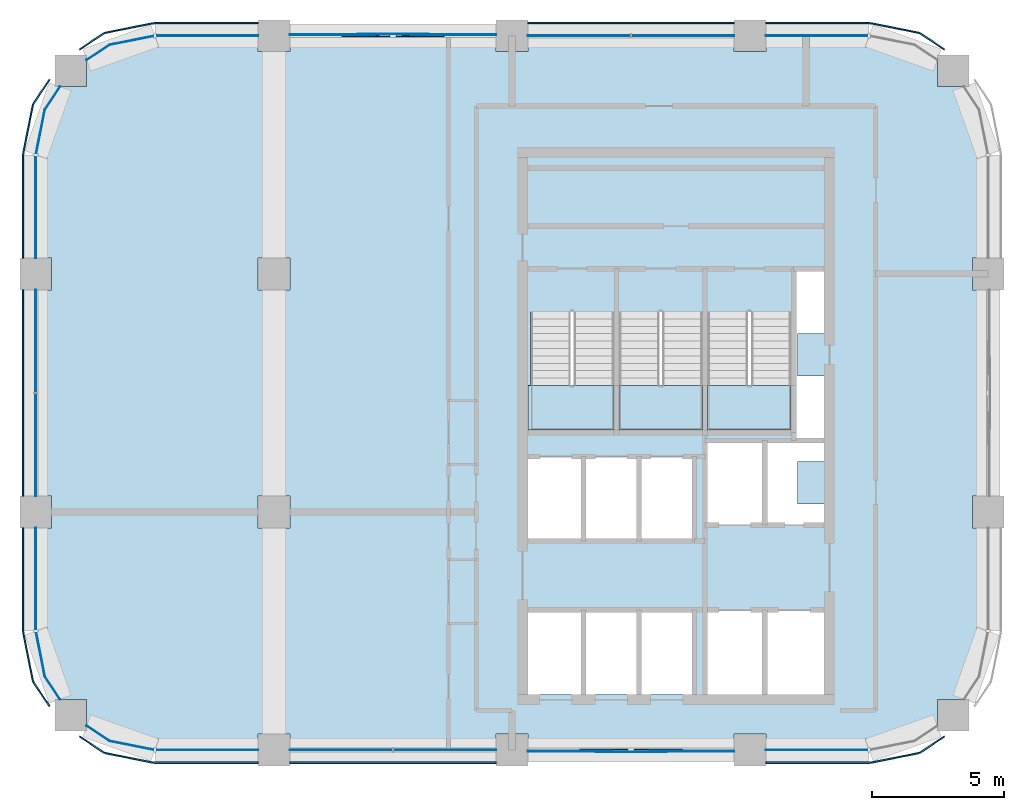
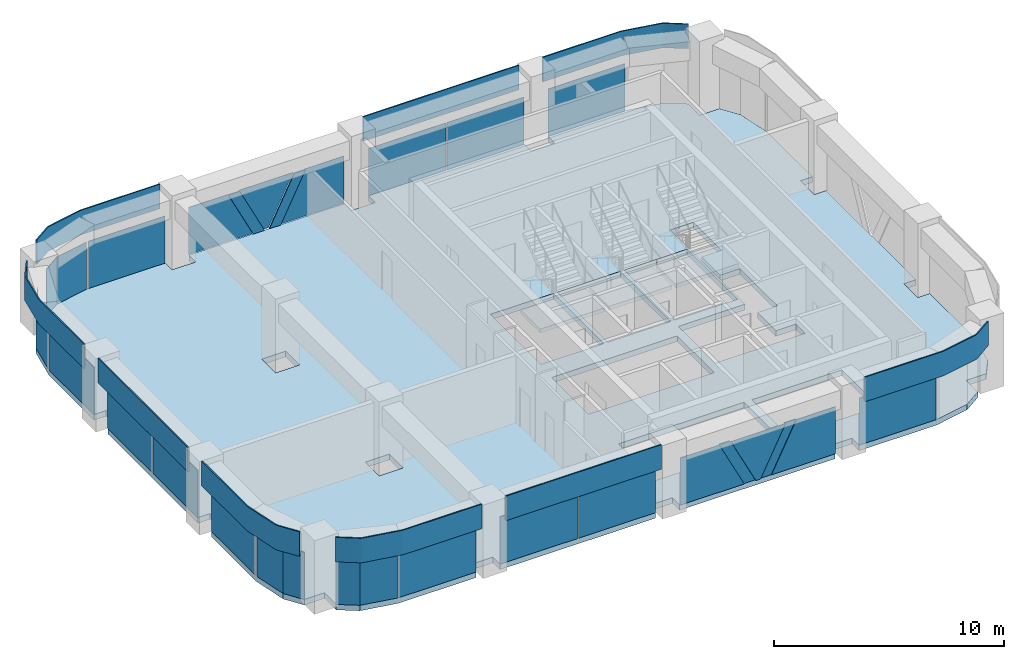
# One storey, part 5 of 9: 35 plates, 4 slabs, 14 elements without a shape of their own.
"""IFC4 building model written with IfcOpenShell, lengths in metres."""

from ifc_helpers import new_model, si_unit, direction, frame, origin, origin_2d, place, context, subcontext, project, spatial, polyline, rectangle, outline, extrude, material, layer, layer_set, type_object, element, aggregate, save


model = new_model("IFC4")

# Units and contexts
model_context = context("Model", 3, precision=1e-05, world=origin(), true_north=direction((0.0, 1.0)))
body_context = subcontext(model_context, "Body", "Model", "MODEL_VIEW")
ifc_project = project(units=[si_unit("LENGTHUNIT", "METRE"), si_unit("AREAUNIT", "SQUARE_METRE"), si_unit("VOLUMEUNIT", "CUBIC_METRE"), si_unit("PLANEANGLEUNIT", "RADIAN"), si_unit("MASSUNIT", "GRAM", prefix="KILO")], contexts=[model_context])

# Site, building, storey
site_placement = place(None, origin())
site = spatial("IfcSite", under=ifc_project, at=site_placement, CompositionType="ELEMENT")
building_placement = place(site_placement, origin())
building = spatial("IfcBuilding", under=site, at=building_placement, Name="Tessera Arch", CompositionType="ELEMENT")
storey_placement = place(building_placement, frame((0.0, 0.0, 273.5)))
storey = spatial("IfcBuildingStorey", under=building, at=storey_placement, Name="L66", CompositionType="ELEMENT", Elevation=273.5)

# Curtain wall, plates
ifc_material_1 = material(Name="CW1 curtain wall")
curtain_wall_type_1 = type_object("IfcCurtainWallType", Name="CW1 curtain wall", PredefinedType="NOTDEFINED", material=ifc_material_1)
curtain_wall_1_placement = place(storey_placement, origin())
curtain_wall_1 = element("IfcCurtainWall", 1, at=curtain_wall_1_placement, inside=storey, type_object=curtain_wall_type_1, Name="CW1 curtain wall N54.18/1 L66", PredefinedType="NOTDEFINED")
ifc_material_2 = material(Name="Clear low-e glass", Category="glass")
ifc_material_3 = material(Name="Clear low-e glass", Category="glass")
ifc_layer_1 = layer(ifc_material_3, 0.028076171875)
ifc_layer_set_1 = layer_set([ifc_layer_1], Name="CW1 glass panel")
plate_type_1 = type_object("IfcPlateType", Name="CW1 glass panel", PredefinedType="CURTAIN_PANEL", material=ifc_layer_set_1)
plate_1_placement = place(storey_placement, frame((42.465087890625, 54.0, 0.0), z_axis=(0.0, 0.0, 1.0), x_axis=(-1.0, 0.0, 0.0)))
plate_1 = element("IfcPlate", 2, at=plate_1_placement, type_object=plate_type_1, material=ifc_material_2, Name="CW1 glass panel N54.18/1 1.1.1", PredefinedType="CURTAIN_PANEL", context=body_context, shape_type="SweptSolid", body=[
    extrude(rectangle(XDim=3.8701171875, YDim=0.028076171875, at=origin_2d()), origin(), (0.0, 0.0, 1.0), 2.5),
])
plate_2_placement = place(storey_placement, frame((38.534912109375, 54.0, 0.0), z_axis=(0.0, 0.0, 1.0), x_axis=(-1.0, 0.0, 0.0)))
plate_2 = element("IfcPlate", 3, at=plate_2_placement, type_object=plate_type_1, material=ifc_material_2, Name="CW1 glass panel N54.18/1 1.2.1", PredefinedType="CURTAIN_PANEL", context=body_context, shape_type="SweptSolid", body=[
    extrude(rectangle(XDim=3.8701171875, YDim=0.028076171875, at=origin_2d()), origin(), (0.0, 0.0, 1.0), 2.5),
])

curtain_wall_2_placement = place(storey_placement, origin())
curtain_wall_2 = element("IfcCurtainWall", 4, at=curtain_wall_2_placement, inside=storey, type_object=curtain_wall_type_1, Name="CW1 curtain wall W18.27/1 L66", PredefinedType="NOTDEFINED")
plate_3_placement = place(storey_placement, frame((18.0, 42.465087890625, 0.0), z_axis=(0.0, 0.0, 1.0), x_axis=(0.0, -1.0, 0.0)))
plate_3 = element("IfcPlate", 5, at=plate_3_placement, type_object=plate_type_1, material=ifc_material_2, Name="CW1 glass panel W18.27/1 1.1.1", PredefinedType="CURTAIN_PANEL", context=body_context, shape_type="SweptSolid", body=[
    extrude(rectangle(XDim=3.8701171875, YDim=0.028076171875, at=origin_2d()), origin(), (0.0, 0.0, 1.0), 2.5),
])
plate_4_placement = place(storey_placement, frame((18.0, 38.534912109375, 0.0), z_axis=(0.0, 0.0, 1.0), x_axis=(0.0, -1.0, 0.0)))
plate_4 = element("IfcPlate", 6, at=plate_4_placement, type_object=plate_type_1, material=ifc_material_2, Name="CW1 glass panel W18.27/1 1.2.1", PredefinedType="CURTAIN_PANEL", context=body_context, shape_type="SweptSolid", body=[
    extrude(rectangle(XDim=3.8701171875, YDim=0.028076171875, at=origin_2d()), origin(), (0.0, 0.0, 1.0), 2.5),
])

curtain_wall_3_placement = place(storey_placement, origin())
curtain_wall_3 = element("IfcCurtainWall", 7, at=curtain_wall_3_placement, inside=storey, type_object=curtain_wall_type_1, Name="CW1 curtain wall S27.18/1 L66", PredefinedType="NOTDEFINED")
plate_5_placement = place(storey_placement, frame((29.534912109375, 27.0, 0.0), z_axis=(0.0, 0.0, 1.0), x_axis=(1.0, 0.0, 0.0)))
plate_5 = element("IfcPlate", 8, at=plate_5_placement, type_object=plate_type_1, material=ifc_material_2, Name="CW1 glass panel S27.18/1 1.1.1", PredefinedType="CURTAIN_PANEL", context=body_context, shape_type="SweptSolid", body=[
    extrude(rectangle(XDim=3.8701171875, YDim=0.028076171875, at=origin_2d()), origin(), (0.0, 0.0, 1.0), 2.5),
])
plate_6_placement = place(storey_placement, frame((33.465087890625, 27.0, 0.0), z_axis=(0.0, 0.0, 1.0), x_axis=(1.0, 0.0, 0.0)))
plate_6 = element("IfcPlate", 9, at=plate_6_placement, type_object=plate_type_1, material=ifc_material_2, Name="CW1 glass panel S27.18/1 1.2.1", PredefinedType="CURTAIN_PANEL", context=body_context, shape_type="SweptSolid", body=[
    extrude(rectangle(XDim=3.8701171875, YDim=0.028076171875, at=origin_2d()), origin(), (0.0, 0.0, 1.0), 2.5),
])

# Plate
ifc_material_4 = material(Name="Pale anodised aluminium panel", Category="aluminium")
ifc_layer_2 = layer(ifc_material_4, 0.06005859375)
ifc_layer_set_2 = layer_set([ifc_layer_2], Name="CW1 spandrel panel")
plate_type_2 = type_object("IfcPlateType", Name="CW1 spandrel panel", PredefinedType="CURTAIN_PANEL", material=ifc_layer_set_2)
plate_7_placement = place(storey_placement, frame((40.5, 54.47998046875, 2.60009765625), z_axis=(0.0, 0.0, 1.0), x_axis=(-1.0, 0.0, 0.0)))
plate_7 = element("IfcPlate", 10, at=plate_7_placement, type_object=plate_type_2, Name="CW1 spandrel panel N54.18/1", PredefinedType="CURTAIN_PANEL", context=body_context, shape_type="SweptSolid", body=[
    extrude(rectangle(XDim=7.800048828125, YDim=0.06005859375, at=origin_2d()), origin(), (0.0, 0.0, 1.0), 1.300048828125),
])

aggregate(curtain_wall_1, [plate_1, plate_2, plate_7])

plate_8_placement = place(storey_placement, frame((17.52001953125, 40.5, 2.60009765625), z_axis=(0.0, 0.0, 1.0), x_axis=(0.0, -1.0, 0.0)))
plate_8 = element("IfcPlate", 11, at=plate_8_placement, type_object=plate_type_2, Name="CW1 spandrel panel W18.27/1", PredefinedType="CURTAIN_PANEL", context=body_context, shape_type="SweptSolid", body=[
    extrude(rectangle(XDim=7.800048828125, YDim=0.06005859375, at=origin_2d()), origin(), (0.0, 0.0, 1.0), 1.300048828125),
])

aggregate(curtain_wall_2, [plate_3, plate_4, plate_8])

plate_9_placement = place(storey_placement, frame((31.5, 26.52001953125, 2.60009765625), z_axis=(0.0, 0.0, 1.0), x_axis=(1.0, 0.0, 0.0)))
plate_9 = element("IfcPlate", 12, at=plate_9_placement, type_object=plate_type_2, Name="CW1 spandrel panel S27.18/1", PredefinedType="CURTAIN_PANEL", context=body_context, shape_type="SweptSolid", body=[
    extrude(rectangle(XDim=7.800048828125, YDim=0.06005859375, at=origin_2d()), origin(), (0.0, 0.0, 1.0), 1.300048828125),
])

aggregate(curtain_wall_3, [plate_5, plate_6, plate_9])

# Curtain wall, plate
ifc_material_5 = material(Name="CW2 curtain wall")
curtain_wall_type_2 = type_object("IfcCurtainWallType", Name="CW2 curtain wall", PredefinedType="NOTDEFINED", material=ifc_material_5)
curtain_wall_4_placement = place(storey_placement, origin())
curtain_wall_4 = element("IfcCurtainWall", 13, at=curtain_wall_4_placement, inside=storey, type_object=curtain_wall_type_2, Name="CW2 curtain wall N54.18/0 L66", PredefinedType="NOTDEFINED")
ifc_material_6 = material(Name="Clear low-e glass", Category="glass")
ifc_layer_3 = layer(ifc_material_6, 0.028076171875)
ifc_layer_set_3 = layer_set([ifc_layer_3], Name="CW2 glass panel")
plate_type_3 = type_object("IfcPlateType", Name="CW2 glass panel", PredefinedType="CURTAIN_PANEL", material=ifc_layer_set_3)
plate_10_placement = place(storey_placement, frame((47.530029296875, 54.0, 0.0), z_axis=(0.0, 0.0, 1.0), x_axis=(-1.0, 0.0, 0.0)))
plate_10 = element("IfcPlate", 14, at=plate_10_placement, type_object=plate_type_3, material=ifc_material_2, Name="CW2 glass panel N54.18/0 1.1", PredefinedType="CURTAIN_PANEL", context=body_context, shape_type="SweptSolid", body=[
    extrude(rectangle(XDim=3.860107421875, YDim=0.028076171875, at=origin_2d()), origin(), (0.0, 0.0, 1.0), 2.5),
])

# Curtain wall, plates
curtain_wall_5_placement = place(storey_placement, origin())
curtain_wall_5 = element("IfcCurtainWall", 15, at=curtain_wall_5_placement, inside=storey, type_object=curtain_wall_type_2, Name="CW2 curtain wall N54.18/3 L66", PredefinedType="NOTDEFINED")
plate_11_placement = place(storey_placement, frame((24.469970703125, 54.0, 0.0), z_axis=(0.0, 0.0, 1.0), x_axis=(-1.0, 0.0, 0.0)))
plate_11 = element("IfcPlate", 16, at=plate_11_placement, type_object=plate_type_3, material=ifc_material_2, Name="CW2 glass panel N54.18/3 1.1", PredefinedType="CURTAIN_PANEL", context=body_context, shape_type="SweptSolid", body=[
    extrude(rectangle(XDim=3.860107421875, YDim=0.028076171875, at=origin_2d()), origin(), (0.0, 0.0, 1.0), 2.5),
])
plate_12_placement = place(storey_placement, origin())
plate_12 = element("IfcPlate", 17, at=plate_12_placement, type_object=plate_type_3, material=ifc_material_2, Name="CW2 curved glass panel N54.18/3 2.1", PredefinedType="CURTAIN_PANEL", context=body_context, shape_type="SweptSolid", body=[
    extrude(outline(polyline([(20.783447265625, 53.644287109375), (22.46337890625, 53.978515625), (22.4580078125, 54.005859375), (20.7724609375, 53.670654296875), (19.91015625, 53.094482421875), (19.92578125, 53.0712890625), (20.783447265625, 53.644287109375)])), origin(), (0.0, 0.0, 1.0), 2.5),
])

curtain_wall_6_placement = place(storey_placement, origin())
curtain_wall_6 = element("IfcCurtainWall", 18, at=curtain_wall_6_placement, inside=storey, type_object=curtain_wall_type_2, Name="CW2 curtain wall W18.27/0 L66", PredefinedType="NOTDEFINED")
plate_13_placement = place(storey_placement, frame((18.0, 47.530029296875, 0.0), z_axis=(0.0, 0.0, 1.0), x_axis=(0.0, -1.0, 0.0)))
plate_13 = element("IfcPlate", 19, at=plate_13_placement, type_object=plate_type_3, material=ifc_material_2, Name="CW2 glass panel W18.27/0 1.1", PredefinedType="CURTAIN_PANEL", context=body_context, shape_type="SweptSolid", body=[
    extrude(rectangle(XDim=3.860107421875, YDim=0.028076171875, at=origin_2d()), origin(), (0.0, 0.0, 1.0), 2.5),
])
plate_14_placement = place(storey_placement, origin())
plate_14 = element("IfcPlate", 20, at=plate_14_placement, type_object=plate_type_3, material=ifc_material_2, Name="CW2 curved glass panel W18.27/0 2.1", PredefinedType="CURTAIN_PANEL", context=body_context, shape_type="SweptSolid", body=[
    extrude(outline(polyline([(18.355712890625, 51.216552734375), (18.9287109375, 52.07421875), (18.905517578125, 52.08984375), (18.329345703125, 51.2275390625), (17.994140625, 49.5419921875), (18.021484375, 49.53662109375), (18.355712890625, 51.216552734375)])), origin(), (0.0, 0.0, 1.0), 2.5),
])

curtain_wall_7_placement = place(storey_placement, origin())
curtain_wall_7 = element("IfcCurtainWall", 21, at=curtain_wall_7_placement, inside=storey, type_object=curtain_wall_type_2, Name="CW2 curtain wall W18.27/2 L66", PredefinedType="NOTDEFINED")
plate_15_placement = place(storey_placement, frame((18.0, 33.469970703125, 0.0), z_axis=(0.0, 0.0, 1.0), x_axis=(0.0, -1.0, 0.0)))
plate_15 = element("IfcPlate", 22, at=plate_15_placement, type_object=plate_type_3, material=ifc_material_2, Name="CW2 glass panel W18.27/2 1.1", PredefinedType="CURTAIN_PANEL", context=body_context, shape_type="SweptSolid", body=[
    extrude(rectangle(XDim=3.860107421875, YDim=0.028076171875, at=origin_2d()), origin(), (0.0, 0.0, 1.0), 2.5),
])
plate_16_placement = place(storey_placement, origin())
plate_16 = element("IfcPlate", 23, at=plate_16_placement, type_object=plate_type_3, material=ifc_material_2, Name="CW2 curved glass panel W18.27/2 2.1", PredefinedType="CURTAIN_PANEL", context=body_context, shape_type="SweptSolid", body=[
    extrude(outline(polyline([(18.355712890625, 29.783447265625), (18.021484375, 31.46337890625), (17.994140625, 31.4580078125), (18.329345703125, 29.7724609375), (18.905517578125, 28.91015625), (18.9287109375, 28.92578125), (18.355712890625, 29.783447265625)])), origin(), (0.0, 0.0, 1.0), 2.5),
])

curtain_wall_8_placement = place(storey_placement, origin())
curtain_wall_8 = element("IfcCurtainWall", 24, at=curtain_wall_8_placement, inside=storey, type_object=curtain_wall_type_2, Name="CW2 curtain wall S27.18/0 L66", PredefinedType="NOTDEFINED")
plate_17_placement = place(storey_placement, frame((24.469970703125, 27.0, 0.0), z_axis=(0.0, 0.0, 1.0), x_axis=(1.0, 0.0, 0.0)))
plate_17 = element("IfcPlate", 25, at=plate_17_placement, type_object=plate_type_3, material=ifc_material_2, Name="CW2 glass panel S27.18/0 1.1", PredefinedType="CURTAIN_PANEL", context=body_context, shape_type="SweptSolid", body=[
    extrude(rectangle(XDim=3.860107421875, YDim=0.028076171875, at=origin_2d()), origin(), (0.0, 0.0, 1.0), 2.5),
])
plate_18_placement = place(storey_placement, origin())
plate_18 = element("IfcPlate", 26, at=plate_18_placement, type_object=plate_type_3, material=ifc_material_2, Name="CW2 curved glass panel S27.18/0 2.1", PredefinedType="CURTAIN_PANEL", context=body_context, shape_type="SweptSolid", body=[
    extrude(outline(polyline([(20.783447265625, 27.355712890625), (19.92578125, 27.9287109375), (19.91015625, 27.905517578125), (20.7724609375, 27.329345703125), (22.4580078125, 26.994140625), (22.46337890625, 27.021484375), (20.783447265625, 27.355712890625)])), origin(), (0.0, 0.0, 1.0), 2.5),
])

# Curtain wall, plate
curtain_wall_9_placement = place(storey_placement, origin())
curtain_wall_9 = element("IfcCurtainWall", 27, at=curtain_wall_9_placement, inside=storey, type_object=curtain_wall_type_2, Name="CW2 curtain wall S27.18/3 L66", PredefinedType="NOTDEFINED")
plate_19_placement = place(storey_placement, frame((47.530029296875, 27.0, 0.0), z_axis=(0.0, 0.0, 1.0), x_axis=(1.0, 0.0, 0.0)))
plate_19 = element("IfcPlate", 28, at=plate_19_placement, type_object=plate_type_3, material=ifc_material_2, Name="CW2 glass panel S27.18/3 1.1", PredefinedType="CURTAIN_PANEL", context=body_context, shape_type="SweptSolid", body=[
    extrude(rectangle(XDim=3.860107421875, YDim=0.028076171875, at=origin_2d()), origin(), (0.0, 0.0, 1.0), 2.5),
])

# Plate
ifc_material_7 = material(Name="Pale anodised aluminium panel", Category="aluminium")
ifc_layer_4 = layer(ifc_material_7, 0.06005859375)
ifc_layer_set_4 = layer_set([ifc_layer_4], Name="CW2 spandrel panel")
plate_type_4 = type_object("IfcPlateType", Name="CW2 spandrel panel", PredefinedType="CURTAIN_PANEL", material=ifc_layer_set_4)
plate_20_placement = place(storey_placement, frame((0.0, 0.0, 2.60009765625)))
plate_20 = element("IfcPlate", 29, at=plate_20_placement, type_object=plate_type_4, Name="CW2 spandrel panel N54.18/0", PredefinedType="CURTAIN_PANEL", context=body_context, shape_type="SweptSolid", body=[
    extrude(outline(polyline([(51.47265625, 54.03125), (52.33203125, 53.45703125), (52.365234375, 53.5068359375), (51.5048828125, 54.08203125), (51.462646484375, 54.107421875), (51.417236328125, 54.128662109375), (51.3701171875, 54.1455078125), (51.322265625, 54.157470703125), (49.598876953125, 54.500244140625), (49.550048828125, 54.507568359375), (49.500732421875, 54.510009765625), (45.60009765625, 54.510009765625), (45.60009765625, 54.449951171875), (49.499267578125, 54.449951171875), (49.544189453125, 54.44775390625), (49.588623046875, 54.441162109375), (51.30908203125, 54.09912109375), (51.352783203125, 54.088134765625), (51.394287109375, 54.0732421875), (51.434326171875, 54.054443359375), (51.47265625, 54.03125)])), origin(), (0.0, 0.0, 1.0), 1.2998046875),
])

aggregate(curtain_wall_4, [plate_10, plate_20])

plate_21_placement = place(storey_placement, frame((0.0, 0.0, 2.60009765625)))
plate_21 = element("IfcPlate", 30, at=plate_21_placement, type_object=plate_type_4, Name="CW2 spandrel panel N54.18/3", PredefinedType="CURTAIN_PANEL", context=body_context, shape_type="SweptSolid", body=[
    extrude(outline(polyline([(22.500732421875, 54.449951171875), (26.39990234375, 54.449951171875), (26.39990234375, 54.510009765625), (22.499267578125, 54.510009765625), (22.449951171875, 54.507568359375), (22.401123046875, 54.500244140625), (20.677734375, 54.157470703125), (20.6298828125, 54.1455078125), (20.582763671875, 54.128662109375), (20.537353515625, 54.107421875), (20.4951171875, 54.08203125), (19.634765625, 53.5068359375), (19.66796875, 53.45703125), (20.52734375, 54.03125), (20.565673828125, 54.054443359375), (20.605712890625, 54.0732421875), (20.647216796875, 54.088134765625), (20.69091796875, 54.09912109375), (22.411376953125, 54.441162109375), (22.455810546875, 54.44775390625), (22.500732421875, 54.449951171875)])), origin(), (0.0, 0.0, 1.0), 1.2998046875),
])

aggregate(curtain_wall_5, [plate_11, plate_12, plate_21])

plate_22_placement = place(storey_placement, frame((0.0, 0.0, 2.60009765625)))
plate_22 = element("IfcPlate", 31, at=plate_22_placement, type_object=plate_type_4, Name="CW2 spandrel panel W18.27/0", PredefinedType="CURTAIN_PANEL", context=body_context, shape_type="SweptSolid", body=[
    extrude(outline(polyline([(17.96875, 51.47265625), (18.54296875, 52.33203125), (18.4931640625, 52.365234375), (17.91796875, 51.5048828125), (17.892578125, 51.462646484375), (17.871337890625, 51.417236328125), (17.8544921875, 51.3701171875), (17.842529296875, 51.322265625), (17.499755859375, 49.598876953125), (17.492431640625, 49.550048828125), (17.489990234375, 49.500732421875), (17.489990234375, 45.60009765625), (17.550048828125, 45.60009765625), (17.550048828125, 49.499267578125), (17.55224609375, 49.544189453125), (17.558837890625, 49.588623046875), (17.90087890625, 51.30908203125), (17.911865234375, 51.352783203125), (17.9267578125, 51.394287109375), (17.945556640625, 51.434326171875), (17.96875, 51.47265625)])), origin(), (0.0, 0.0, 1.0), 1.2998046875),
])

aggregate(curtain_wall_6, [plate_13, plate_14, plate_22])

plate_23_placement = place(storey_placement, frame((0.0, 0.0, 2.60009765625)))
plate_23 = element("IfcPlate", 32, at=plate_23_placement, type_object=plate_type_4, Name="CW2 spandrel panel W18.27/2", PredefinedType="CURTAIN_PANEL", context=body_context, shape_type="SweptSolid", body=[
    extrude(outline(polyline([(17.550048828125, 31.500732421875), (17.550048828125, 35.39990234375), (17.489990234375, 35.39990234375), (17.489990234375, 31.499267578125), (17.492431640625, 31.449951171875), (17.499755859375, 31.401123046875), (17.842529296875, 29.677734375), (17.8544921875, 29.6298828125), (17.871337890625, 29.582763671875), (17.892578125, 29.537353515625), (17.91796875, 29.4951171875), (18.4931640625, 28.634765625), (18.54296875, 28.66796875), (17.96875, 29.52734375), (17.945556640625, 29.565673828125), (17.9267578125, 29.605712890625), (17.911865234375, 29.647216796875), (17.90087890625, 29.69091796875), (17.558837890625, 31.411376953125), (17.55224609375, 31.455810546875), (17.550048828125, 31.500732421875)])), origin(), (0.0, 0.0, 1.0), 1.2998046875),
])

aggregate(curtain_wall_7, [plate_15, plate_16, plate_23])

plate_24_placement = place(storey_placement, frame((0.0, 0.0, 2.60009765625)))
plate_24 = element("IfcPlate", 33, at=plate_24_placement, type_object=plate_type_4, Name="CW2 spandrel panel S27.18/0", PredefinedType="CURTAIN_PANEL", context=body_context, shape_type="SweptSolid", body=[
    extrude(outline(polyline([(20.52734375, 26.96875), (19.66796875, 27.54296875), (19.634765625, 27.4931640625), (20.4951171875, 26.91796875), (20.537353515625, 26.892578125), (20.582763671875, 26.871337890625), (20.6298828125, 26.8544921875), (20.677734375, 26.842529296875), (22.401123046875, 26.499755859375), (22.449951171875, 26.492431640625), (22.499267578125, 26.489990234375), (26.39990234375, 26.489990234375), (26.39990234375, 26.550048828125), (22.500732421875, 26.550048828125), (22.455810546875, 26.55224609375), (22.411376953125, 26.558837890625), (20.69091796875, 26.90087890625), (20.647216796875, 26.911865234375), (20.605712890625, 26.9267578125), (20.565673828125, 26.945556640625), (20.52734375, 26.96875)])), origin(), (0.0, 0.0, 1.0), 1.2998046875),
])

aggregate(curtain_wall_8, [plate_17, plate_18, plate_24])

plate_25_placement = place(storey_placement, frame((0.0, 0.0, 2.60009765625)))
plate_25 = element("IfcPlate", 34, at=plate_25_placement, type_object=plate_type_4, Name="CW2 spandrel panel S27.18/3", PredefinedType="CURTAIN_PANEL", context=body_context, shape_type="SweptSolid", body=[
    extrude(outline(polyline([(49.499267578125, 26.550048828125), (45.60009765625, 26.550048828125), (45.60009765625, 26.489990234375), (49.500732421875, 26.489990234375), (49.550048828125, 26.492431640625), (49.598876953125, 26.499755859375), (51.322265625, 26.842529296875), (51.3701171875, 26.8544921875), (51.417236328125, 26.871337890625), (51.462646484375, 26.892578125), (51.5048828125, 26.91796875), (52.365234375, 27.4931640625), (52.33203125, 27.54296875), (51.47265625, 26.96875), (51.434326171875, 26.945556640625), (51.394287109375, 26.9267578125), (51.352783203125, 26.911865234375), (51.30908203125, 26.90087890625), (49.588623046875, 26.558837890625), (49.544189453125, 26.55224609375), (49.499267578125, 26.550048828125)])), origin(), (0.0, 0.0, 1.0), 1.2998046875),
])

aggregate(curtain_wall_9, [plate_19, plate_25])

# Curtain wall, plates
ifc_material_8 = material(Name="CW3 curtain wall")
curtain_wall_type_3 = type_object("IfcCurtainWallType", Name="CW3 curtain wall", PredefinedType="NOTDEFINED", material=ifc_material_8)
curtain_wall_10_placement = place(storey_placement, origin())
curtain_wall_10 = element("IfcCurtainWall", 35, at=curtain_wall_10_placement, inside=storey, type_object=curtain_wall_type_3, Name="CW3 curtain wall N54.18/2 L66", PredefinedType="NOTDEFINED")
ifc_material_9 = material(Name="Pale anodised aluminium panel", Category="aluminium")
ifc_layer_5 = layer(ifc_material_9, 0.06005859375)
ifc_layer_set_5 = layer_set([ifc_layer_5], Name="CW3 diagonal panel")
plate_type_5 = type_object("IfcPlateType", Name="CW3 diagonal panel", PredefinedType="CURTAIN_PANEL", material=ifc_layer_set_5)
plate_26_placement = place(storey_placement, frame((29.567626953125, 54.030029296875, 2.5), z_axis=(0.0, 1.0, 0.0), x_axis=(1.0, 0.0, 0.0)))
plate_26 = element("IfcPlate", 36, at=plate_26_placement, type_object=plate_type_5, Name="CW3 diagonal panel N54.18/2 1", PredefinedType="CURTAIN_PANEL", context=body_context, shape_type="SweptSolid", body=[
    extrude(outline(polyline([(0.0, 0.0), (0.564697265625, 0.0), (1.814697265625, 2.5), (1.25, 2.5), (0.0, 0.0)])), origin(), (0.0, 0.0, -1.0), 0.06005859375),
])
plate_27_placement = place(storey_placement, frame((32.86767578125, 54.030029296875, 2.5), z_axis=(0.0, 1.0, 0.0), x_axis=(1.0, 0.0, 0.0)))
plate_27 = element("IfcPlate", 37, at=plate_27_placement, type_object=plate_type_5, Name="CW3 diagonal panel N54.18/2 2", PredefinedType="CURTAIN_PANEL", context=body_context, shape_type="SweptSolid", body=[
    extrude(outline(polyline([(0.0, 0.0), (0.564697265625, 0.0), (-0.685302734375, 2.5), (-1.25, 2.5), (0.0, 0.0)])), origin(), (0.0, 0.0, -1.0), 0.06005859375),
])

curtain_wall_11_placement = place(storey_placement, origin())
curtain_wall_11 = element("IfcCurtainWall", 38, at=curtain_wall_11_placement, inside=storey, type_object=curtain_wall_type_3, Name="CW3 curtain wall S27.18/2 L66", PredefinedType="NOTDEFINED")
plate_28_placement = place(storey_placement, frame((42.432373046875, 26.969970703125, 2.5), z_axis=(0.0, -1.0, 0.0), x_axis=(-1.0, 0.0, 0.0)))
plate_28 = element("IfcPlate", 39, at=plate_28_placement, type_object=plate_type_5, Name="CW3 diagonal panel S27.18/2 1", PredefinedType="CURTAIN_PANEL", context=body_context, shape_type="SweptSolid", body=[
    extrude(outline(polyline([(0.0, 0.0), (0.564697265625, 0.0), (1.814697265625, 2.5), (1.25, 2.5), (0.0, 0.0)])), origin(), (0.0, 0.0, -1.0), 0.06005859375),
])
plate_29_placement = place(storey_placement, frame((39.13232421875, 26.969970703125, 2.5), z_axis=(0.0, -1.0, 0.0), x_axis=(-1.0, 0.0, 0.0)))
plate_29 = element("IfcPlate", 40, at=plate_29_placement, type_object=plate_type_5, Name="CW3 diagonal panel S27.18/2 2", PredefinedType="CURTAIN_PANEL", context=body_context, shape_type="SweptSolid", body=[
    extrude(outline(polyline([(0.0, 0.0), (0.564697265625, 0.0), (-0.685302734375, 2.5), (-1.25, 2.5), (0.0, 0.0)])), origin(), (0.0, 0.0, -1.0), 0.06005859375),
])

# Plate
ifc_material_10 = material(Name="Clear low-e glass", Category="glass")
ifc_layer_6 = layer(ifc_material_10, 0.028076171875)
ifc_layer_set_6 = layer_set([ifc_layer_6], Name="CW3 glass panel")
plate_type_6 = type_object("IfcPlateType", Name="CW3 glass panel", PredefinedType="CURTAIN_PANEL", material=ifc_layer_set_6)
plate_30_placement = place(storey_placement, frame((35.39990234375, 54.05810546875, 0.0), z_axis=(0.0, 1.0, 0.0), x_axis=(-1.0, 0.0, 0.0)))
plate_30 = element("IfcPlate", 41, at=plate_30_placement, type_object=plate_type_6, material=ifc_material_2, Name="CW3 triangulated glass panel N54.18/2 1", PredefinedType="CURTAIN_PANEL", context=body_context, shape_type="SweptSolid", body=[
    extrude(outline(polyline([(0.0, 0.0), (3.217529296875, 0.0), (1.967529296875, 2.5), (0.0, 2.5), (0.0, 0.0)])), origin(), (0.0, 0.0, -1.0), 0.028076171875),
])

plate_31_placement = place(storey_placement, frame((30.13232421875, 54.0859375, 2.5), z_axis=(0.0, 1.0, 0.0), x_axis=(1.0, 0.0, 0.0)))
plate_31 = element("IfcPlate", 42, at=plate_31_placement, type_object=plate_type_6, material=ifc_material_2, Name="CW3 triangulated glass panel N54.18/2 2", PredefinedType="CURTAIN_PANEL", context=body_context, shape_type="SweptSolid", body=[
    extrude(outline(polyline([(0.0, 0.0), (2.7353515625, 0.0), (1.4853515625, 2.5), (1.25, 2.5), (0.0, 0.0)])), origin(), (0.0, 0.0, -1.0), 0.028076171875),
])

plate_32_placement = place(storey_placement, frame((27.60009765625, 54.05810546875, 2.5), z_axis=(0.0, 1.0, 0.0), x_axis=(1.0, 0.0, 0.0)))
plate_32 = element("IfcPlate", 43, at=plate_32_placement, type_object=plate_type_6, material=ifc_material_2, Name="CW3 triangulated glass panel N54.18/2 3", PredefinedType="CURTAIN_PANEL", context=body_context, shape_type="SweptSolid", body=[
    extrude(outline(polyline([(0.0, 0.0), (1.967529296875, 0.0), (3.217529296875, 2.5), (0.0, 2.5), (0.0, 0.0)])), origin(), (0.0, 0.0, -1.0), 0.028076171875),
])

aggregate(curtain_wall_10, [plate_30, plate_31, plate_32, plate_26, plate_27])

plate_33_placement = place(storey_placement, frame((36.60009765625, 26.94189453125, 0.0), z_axis=(0.0, -1.0, 0.0), x_axis=(1.0, 0.0, 0.0)))
plate_33 = element("IfcPlate", 44, at=plate_33_placement, type_object=plate_type_6, material=ifc_material_2, Name="CW3 triangulated glass panel S27.18/2 1", PredefinedType="CURTAIN_PANEL", context=body_context, shape_type="SweptSolid", body=[
    extrude(outline(polyline([(0.0, 0.0), (3.217529296875, 0.0), (1.967529296875, 2.5), (0.0, 2.5), (0.0, 0.0)])), origin(), (0.0, 0.0, -1.0), 0.028076171875),
])

plate_34_placement = place(storey_placement, frame((41.86767578125, 26.9140625, 2.5), z_axis=(0.0, -1.0, 0.0), x_axis=(-1.0, 0.0, 0.0)))
plate_34 = element("IfcPlate", 45, at=plate_34_placement, type_object=plate_type_6, material=ifc_material_2, Name="CW3 triangulated glass panel S27.18/2 2", PredefinedType="CURTAIN_PANEL", context=body_context, shape_type="SweptSolid", body=[
    extrude(outline(polyline([(0.0, 0.0), (2.7353515625, 0.0), (1.4853515625, 2.5), (1.25, 2.5), (0.0, 0.0)])), origin(), (0.0, 0.0, -1.0), 0.028076171875),
])

plate_35_placement = place(storey_placement, frame((44.39990234375, 26.94189453125, 2.5), z_axis=(0.0, -1.0, 0.0), x_axis=(-1.0, 0.0, 0.0)))
plate_35 = element("IfcPlate", 46, at=plate_35_placement, type_object=plate_type_6, material=ifc_material_2, Name="CW3 triangulated glass panel S27.18/2 3", PredefinedType="CURTAIN_PANEL", context=body_context, shape_type="SweptSolid", body=[
    extrude(outline(polyline([(0.0, 0.0), (1.967529296875, 0.0), (3.217529296875, 2.5), (0.0, 2.5), (0.0, 0.0)])), origin(), (0.0, 0.0, -1.0), 0.028076171875),
])

aggregate(curtain_wall_11, [plate_33, plate_34, plate_35, plate_28, plate_29])

# Slab
ifc_material_11 = material(Name="Concrete C40/50", Category="concrete")
ifc_layer_7 = layer(ifc_material_11, 0.300048828125)
ifc_layer_set_7 = layer_set([ifc_layer_7], Name="Floor slab 300 Concrete C40/50")
slab_type_1 = type_object("IfcSlabType", Name="Floor slab 300 Concrete C40/50", PredefinedType="FLOOR", material=ifc_layer_set_7)
slab_1_placement = place(storey_placement, frame((0.0, 0.0, -0.300048828125)))
element("IfcSlab", 47, at=slab_1_placement, inside=storey, type_object=slab_type_1, Name="Floor slab L66 1", PredefinedType="FLOOR", context=body_context, shape_type="SweptSolid", body=[
    extrude(outline(polyline([(54.0, 31.5), (53.657470703125, 29.77783203125), (53.0830078125, 28.91796875), (52.08203125, 28.91796875), (52.08203125, 27.9169921875), (51.22216796875, 27.342529296875), (49.5, 27.0), (45.60009765625, 27.0), (45.60009765625, 27.60009765625), (44.39990234375, 27.60009765625), (44.39990234375, 27.0), (36.60009765625, 27.0), (36.60009765625, 27.60009765625), (35.39990234375, 27.60009765625), (35.39990234375, 27.0), (27.60009765625, 27.0), (27.60009765625, 27.60009765625), (26.39990234375, 27.60009765625), (26.39990234375, 27.0), (22.5, 27.0), (20.77783203125, 27.342529296875), (19.91796875, 27.9169921875), (19.91796875, 28.91796875), (18.9169921875, 28.91796875), (18.342529296875, 29.77783203125), (18.0, 31.5), (18.0, 35.39990234375), (18.60009765625, 35.39990234375), (18.60009765625, 36.60009765625), (18.0, 36.60009765625), (18.0, 44.39990234375), (18.60009765625, 44.39990234375), (18.60009765625, 45.60009765625), (18.0, 45.60009765625), (18.0, 49.5), (18.342529296875, 51.22216796875), (18.9169921875, 52.08203125), (19.91796875, 52.08203125), (19.91796875, 53.0830078125), (20.77783203125, 53.657470703125), (22.5, 54.0), (26.39990234375, 54.0), (26.39990234375, 53.39990234375), (27.60009765625, 53.39990234375), (27.60009765625, 54.0), (35.39990234375, 54.0), (35.39990234375, 53.39990234375), (36.60009765625, 53.39990234375), (36.60009765625, 54.0), (44.39990234375, 54.0), (44.39990234375, 53.39990234375), (45.60009765625, 53.39990234375), (45.60009765625, 54.0), (49.5, 54.0), (51.22216796875, 53.657470703125), (52.08203125, 53.0830078125), (52.08203125, 52.08203125), (53.0830078125, 52.08203125), (53.657470703125, 51.22216796875), (54.0, 49.5), (54.0, 45.60009765625), (53.39990234375, 45.60009765625), (53.39990234375, 44.39990234375), (54.0, 44.39990234375), (54.0, 36.60009765625), (53.39990234375, 36.60009765625), (53.39990234375, 35.39990234375), (54.0, 35.39990234375), (54.0, 31.5)]), holes=[polyline([(40.800048828125, 29.10009765625), (42.89990234375, 29.10009765625), (42.89990234375, 32.300048828125), (40.800048828125, 32.300048828125), (38.699951171875, 32.300048828125), (36.60009765625, 32.300048828125), (36.60009765625, 29.10009765625), (38.699951171875, 29.10009765625), (40.800048828125, 29.10009765625)]), polyline([(27.60009765625, 35.39990234375), (27.60009765625, 36.60009765625), (26.39990234375, 36.60009765625), (26.39990234375, 35.39990234375), (27.60009765625, 35.39990234375)]), polyline([(40.800048828125, 34.89990234375), (42.89990234375, 34.89990234375), (42.89990234375, 38.10009765625), (40.800048828125, 38.10009765625), (38.699951171875, 38.10009765625), (36.60009765625, 38.10009765625), (36.60009765625, 34.89990234375), (38.699951171875, 34.89990234375), (40.800048828125, 34.89990234375)]), polyline([(38.219970703125, 43.580078125), (38.219970703125, 43.570068359375), (36.699951171875, 43.570068359375), (36.699951171875, 39.199951171875), (39.85009765625, 39.199951171875), (39.85009765625, 43.570068359375), (38.330078125, 43.570068359375), (38.330078125, 43.580078125), (38.219970703125, 43.580078125)]), polyline([(27.60009765625, 44.39990234375), (27.60009765625, 45.60009765625), (26.39990234375, 45.60009765625), (26.39990234375, 44.39990234375), (27.60009765625, 44.39990234375)]), polyline([(47.800048828125, 32.300048828125), (45.550048828125, 32.300048828125), (43.300048828125, 32.300048828125), (43.300048828125, 29.10009765625), (45.550048828125, 29.10009765625), (47.800048828125, 29.10009765625), (47.800048828125, 32.300048828125)]), polyline([(46.64990234375, 38.699951171875), (45.550048828125, 38.699951171875), (43.300048828125, 38.699951171875), (43.300048828125, 35.5), (45.550048828125, 35.5), (47.800048828125, 35.5), (47.800048828125, 36.300048828125), (46.800048828125, 36.300048828125), (46.800048828125, 37.89990234375), (47.800048828125, 37.89990234375), (47.800048828125, 38.699951171875), (47.800048828125, 41.14990234375), (46.800048828125, 41.14990234375), (46.800048828125, 42.75), (47.800048828125, 42.75), (47.800048828125, 45.199951171875), (46.64990234375, 45.199951171875), (46.64990234375, 38.699951171875)]), polyline([(41.570068359375, 43.580078125), (41.570068359375, 43.570068359375), (40.050048828125, 43.570068359375), (40.050048828125, 39.199951171875), (43.199951171875, 39.199951171875), (43.199951171875, 43.570068359375), (41.679931640625, 43.570068359375), (41.679931640625, 43.580078125), (41.570068359375, 43.580078125)]), polyline([(44.919921875, 43.580078125), (44.919921875, 43.570068359375), (43.39990234375, 43.570068359375), (43.39990234375, 39.199951171875), (46.550048828125, 39.199951171875), (46.550048828125, 43.570068359375), (45.030029296875, 43.570068359375), (45.030029296875, 43.580078125), (44.919921875, 43.580078125)])]), origin(), (0.0, 0.0, 1.0), 0.300048828125),
])

# Stair, slab
ifc_material_12 = material(Name="Concrete C40/50", Category="concrete")
stair_type = type_object("IfcStairType", Name="Dogleg stair 1520", PredefinedType="HALF_TURN_STAIR", material=ifc_material_12)
stair_1_placement = place(storey_placement, origin())
stair_1 = element("IfcStair", 48, at=stair_1_placement, inside=storey, type_object=stair_type, Name="L66 S1a", PredefinedType="HALF_TURN_STAIR")
ifc_material_13 = material(Name="Concrete C40/50", Category="concrete")
ifc_layer_8 = layer(ifc_material_13, 0.300048828125)
ifc_layer_set_8 = layer_set([ifc_layer_8], Name="Stair landing 300")
slab_type_2 = type_object("IfcSlabType", Name="Stair landing 300", PredefinedType="LANDING", material=ifc_layer_set_8)
slab_2_placement = place(storey_placement, frame((0.0, 0.0, 1.75)))
slab_2 = element("IfcSlab", 49, at=slab_2_placement, type_object=slab_type_2, Name="S1a landing 1", PredefinedType="LANDING", context=body_context, shape_type="SweptSolid", body=[
    extrude(outline(polyline([(36.60009765625, 40.780029296875), (36.60009765625, 39.10009765625), (39.85009765625, 39.10009765625), (39.85009765625, 40.780029296875), (36.60009765625, 40.780029296875)])), origin(), (0.0, 0.0, 1.0), 0.199951171875),
])
aggregate(stair_1, [slab_2])

stair_2_placement = place(storey_placement, origin())
stair_2 = element("IfcStair", 50, at=stair_2_placement, inside=storey, type_object=stair_type, Name="L66 S1b", PredefinedType="HALF_TURN_STAIR")
slab_3_placement = place(storey_placement, frame((0.0, 0.0, 1.75)))
slab_3 = element("IfcSlab", 51, at=slab_3_placement, type_object=slab_type_2, Name="S1b landing 1", PredefinedType="LANDING", context=body_context, shape_type="SweptSolid", body=[
    extrude(outline(polyline([(40.050048828125, 40.780029296875), (40.050048828125, 39.10009765625), (43.199951171875, 39.10009765625), (43.199951171875, 40.780029296875), (40.050048828125, 40.780029296875)])), origin(), (0.0, 0.0, 1.0), 0.199951171875),
])
aggregate(stair_2, [slab_3])

stair_3_placement = place(storey_placement, origin())
stair_3 = element("IfcStair", 52, at=stair_3_placement, inside=storey, type_object=stair_type, Name="L66 S1c", PredefinedType="HALF_TURN_STAIR")
slab_4_placement = place(storey_placement, frame((0.0, 0.0, 1.75)))
slab_4 = element("IfcSlab", 53, at=slab_4_placement, type_object=slab_type_2, Name="S1c landing 1", PredefinedType="LANDING", context=body_context, shape_type="SweptSolid", body=[
    extrude(outline(polyline([(43.39990234375, 40.780029296875), (43.39990234375, 39.10009765625), (46.550048828125, 39.10009765625), (46.550048828125, 40.780029296875), (43.39990234375, 40.780029296875)])), origin(), (0.0, 0.0, 1.0), 0.199951171875),
])
aggregate(stair_3, [slab_4])

save(model, "model.ifc")
